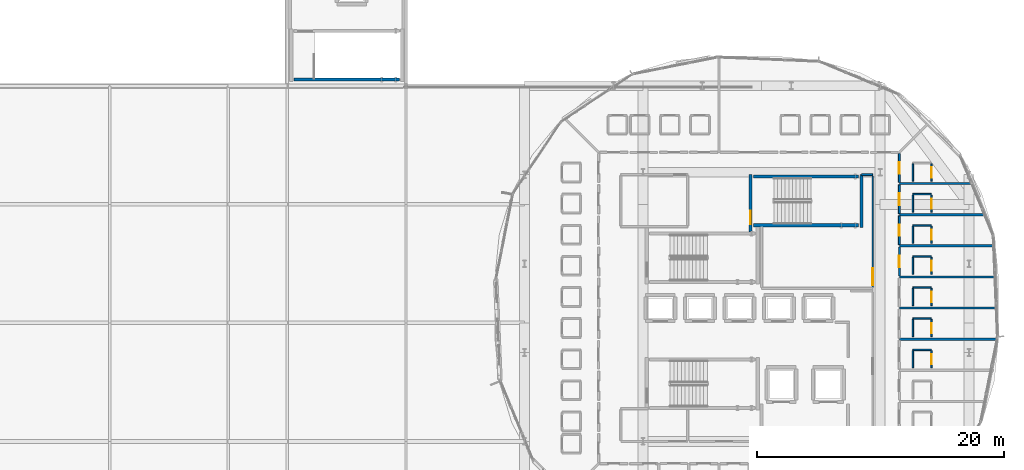
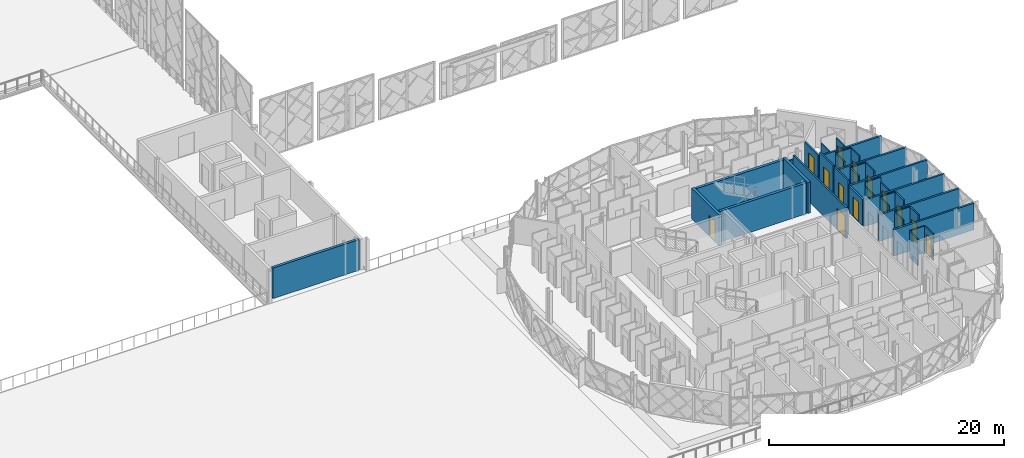
# One storey, part 35 of 53: 37 walls, 13 doors, 13 openings.
"""IFC4 building model written with IfcOpenShell, lengths in metres."""

from ifc_helpers import new_model, si_unit, direction, frame, frame_2d, origin, place, context, subcontext, project, spatial, rectangle, extrude, material, layer, layer_set, type_object, element, fill, save


model = new_model("IFC4")

# Units and contexts
model_context = context("Model", 3, precision=1e-05, world=origin(), true_north=direction((0.0, 1.0)))
body_context = subcontext(model_context, "Body", "Model", "MODEL_VIEW")
ifc_project = project(units=[si_unit("LENGTHUNIT", "METRE"), si_unit("AREAUNIT", "SQUARE_METRE"), si_unit("VOLUMEUNIT", "CUBIC_METRE"), si_unit("PLANEANGLEUNIT", "RADIAN"), si_unit("MASSUNIT", "GRAM", prefix="KILO")], contexts=[model_context])

# Site, building, storey
site_placement = place(None, origin())
site = spatial("IfcSite", under=ifc_project, at=site_placement, CompositionType="ELEMENT")
building_placement = place(site_placement, origin())
building = spatial("IfcBuilding", under=site, at=building_placement, Name="Zevrakil Square Congress Hotel", CompositionType="ELEMENT")
storey_placement = place(building_placement, frame((0.0, 0.0, 14.699951171875)))
storey = spatial("IfcBuildingStorey", under=building, at=storey_placement, Name="L04", CompositionType="ELEMENT", Elevation=14.699951171875)

# Wall
ifc_material_1 = material(Name="Gypsum Acoustic Stud Partition")
ifc_layer_1 = layer(ifc_material_1, 0.159912109375)
ifc_layer_set_1 = layer_set([ifc_layer_1], Name="Gypsum Acoustic Stud Partition")
wall_type_1 = type_object("IfcWallType", Name="WAL-CORR-160", PredefinedType="PARTITIONING", material=ifc_layer_set_1)
wall_1_placement = place(storey_placement, frame((154.5, 38.39990234375, 0.0), z_axis=(0.0, 0.0, 1.0), x_axis=(1.0, 0.0, 0.0)))
element("IfcWall", 1, at=wall_1_placement, inside=storey, type_object=wall_type_1, Name="L04 interior partition PW-L04-0252", PredefinedType="PARTITIONING", context=body_context, shape_type="SweptSolid", body=[
    extrude(rectangle(XDim=0.89990234375, YDim=0.159912109375, at=frame_2d((0.449951171875, 0.0))), origin(), (0.0, 0.0, 1.0), 2.75),
])

# Wall, opening, door
wall_2_placement = place(storey_placement, frame((155.39990234375, 29.284912109375, 0.0), z_axis=(0.0, 0.0, 1.0), x_axis=(0.0, 1.0, 0.0)))
wall_2 = element("IfcWall", 2, at=wall_2_placement, inside=storey, type_object=wall_type_1, Name="L04 interior partition PW-L04-0253", PredefinedType="PARTITIONING", context=body_context, shape_type="SweptSolid", body=[
    extrude(rectangle(XDim=9.030029296875, YDim=0.159912109375, at=frame_2d((4.51513671875, 0.0))), origin(), (0.0, 0.0, 1.0), 3.215087890625),
])
opening_1_placement = place(wall_2_placement, frame((0.159912109375, 0.0, 0.0)))
opening_1 = element("IfcOpeningElement", 3, at=opening_1_placement, cuts=wall_2, Name="Opening ID-09", PredefinedType="OPENING", context=body_context, shape_type="SweptSolid", body=[
    extrude(rectangle(XDim=1.39990234375, YDim=2.199951171875, at=frame_2d((0.699951171875, 1.10009765625))), frame((0.0, 0.08984375, 0.0), z_axis=(0.0, -1.0, 0.0), x_axis=(1.0, 0.0, 0.0)), (0.0, 0.0, 1.0), 0.179931640625),
])
ifc_material_2 = material(Name="Steel S355 Louvred Plant Fire Door", Category="steel")
door_type_1 = type_object("IfcDoorType", Name="DOR-PLANT-140", OperationType="NOTDEFINED", PredefinedType="DOOR", material=ifc_material_2)
door_1_placement = place(opening_1_placement, origin())
door_1 = element("IfcDoor", 4, at=door_1_placement, inside=storey, type_object=door_type_1, Name="L04 interior door 106", OperationType="SINGLE_SWING_RIGHT", OverallHeight=2.199951171875, OverallWidth=1.39990234375, PredefinedType="DOOR", context=body_context, shape_type="SweptSolid", body=[
    extrude(rectangle(XDim=1.39990234375, YDim=2.199951171875, at=frame_2d((0.699951171875, 1.10009765625))), frame((0.0, 0.02490234375, 0.0), z_axis=(0.0, -1.0, 0.0), x_axis=(1.0, 0.0, 0.0)), (0.0, 0.0, 1.0), 0.050048828125),
])
fill(opening_1, door_1)

wall_3_placement = place(storey_placement, frame((157.550048828125, 30.215087890625, 0.0), z_axis=(0.0, 0.0, 1.0), x_axis=(0.0, 1.0, 0.0)))
wall_3 = element("IfcWall", 5, at=wall_3_placement, inside=storey, type_object=wall_type_1, Name="L04 interior partition PW-L04-0343", PredefinedType="PARTITIONING", context=body_context, shape_type="SweptSolid", body=[
    extrude(rectangle(XDim=2.329833984375, YDim=0.159912109375, at=frame_2d((1.1650390625, 0.0))), origin(), (0.0, 0.0, 1.0), 2.75),
])
opening_2_placement = place(wall_3_placement, frame((0.697021484375, 0.0, 0.0)))
opening_2 = element("IfcOpeningElement", 6, at=opening_2_placement, cuts=wall_3, Name="Opening ID-H08", PredefinedType="OPENING", context=body_context, shape_type="SweptSolid", body=[
    extrude(rectangle(XDim=0.93603515625, YDim=2.070068359375, at=frame_2d((0.468017578125, 1.03515625))), frame((0.0, 0.08984375, 0.0), z_axis=(0.0, -1.0, 0.0), x_axis=(1.0, 0.0, 0.0)), (0.0, 0.0, 1.0), 0.179931640625),
])
ifc_material_3 = material(Name="Acoustic Timber Fire Door", Category="wood")
door_type_2 = type_object("IfcDoorType", Name="DOR-INT-H08", OperationType="NOTDEFINED", PredefinedType="DOOR", material=ifc_material_3)
door_2_placement = place(opening_2_placement, origin())
door_2 = element("IfcDoor", 7, at=door_2_placement, inside=storey, type_object=door_type_2, Name="L04 interior door 141", OperationType="SINGLE_SWING_LEFT", OverallHeight=2.070068359375, OverallWidth=0.93603515625, PredefinedType="DOOR", context=body_context, shape_type="SweptSolid", body=[
    extrude(rectangle(XDim=0.93603515625, YDim=2.070068359375, at=frame_2d((0.468017578125, 1.03515625))), frame((0.0, 0.02490234375, 0.0), z_axis=(0.0, -1.0, 0.0), x_axis=(1.0, 0.0, 0.0)), (0.0, 0.0, 1.0), 0.050048828125),
])
fill(opening_2, door_2)

wall_4_placement = place(storey_placement, frame((157.550048828125, 32.735107421875, 0.0), z_axis=(0.0, 0.0, 1.0), x_axis=(0.0, 1.0, 0.0)))
wall_4 = element("IfcWall", 8, at=wall_4_placement, inside=storey, type_object=wall_type_1, Name="L04 interior partition PW-L04-0348", PredefinedType="PARTITIONING", context=body_context, shape_type="SweptSolid", body=[
    extrude(rectangle(XDim=2.329833984375, YDim=0.159912109375, at=frame_2d((1.1650390625, 0.0))), origin(), (0.0, 0.0, 1.0), 3.215087890625),
])
opening_3_placement = place(wall_4_placement, frame((0.71240234375, 0.0, 0.0)))
opening_3 = element("IfcOpeningElement", 9, at=opening_3_placement, cuts=wall_4, Name="Opening ID-G03", PredefinedType="OPENING", context=body_context, shape_type="SweptSolid", body=[
    extrude(rectangle(XDim=0.905029296875, YDim=2.050048828125, at=frame_2d((0.45263671875, 1.02490234375))), frame((0.0, 0.08984375, 0.0), z_axis=(0.0, -1.0, 0.0), x_axis=(1.0, 0.0, 0.0)), (0.0, 0.0, 1.0), 0.179931640625),
])
ifc_material_4 = material(Name="Acoustic Timber Fire Door", Category="wood")
door_type_3 = type_object("IfcDoorType", Name="DOR-INT-G03", OperationType="NOTDEFINED", PredefinedType="DOOR", material=ifc_material_4)
door_3_placement = place(opening_3_placement, origin())
door_3 = element("IfcDoor", 10, at=door_3_placement, inside=storey, type_object=door_type_3, Name="L04 interior door 143", OperationType="SINGLE_SWING_LEFT", OverallHeight=2.050048828125, OverallWidth=0.905029296875, PredefinedType="DOOR", context=body_context, shape_type="SweptSolid", body=[
    extrude(rectangle(XDim=0.905029296875, YDim=2.050048828125, at=frame_2d((0.45263671875, 1.02490234375))), frame((0.0, 0.02490234375, 0.0), z_axis=(0.0, -1.0, 0.0), x_axis=(1.0, 0.0, 0.0)), (0.0, 0.0, 1.0), 0.050048828125),
])
fill(opening_3, door_3)

wall_5_placement = place(storey_placement, frame((157.550048828125, 35.2548828125, 0.0), z_axis=(0.0, 0.0, 1.0), x_axis=(0.0, 1.0, 0.0)))
wall_5 = element("IfcWall", 11, at=wall_5_placement, inside=storey, type_object=wall_type_1, Name="L04 interior partition PW-L04-0353", PredefinedType="PARTITIONING", context=body_context, shape_type="SweptSolid", body=[
    extrude(rectangle(XDim=2.330078125, YDim=0.159912109375, at=frame_2d((1.1650390625, 0.0))), origin(), (0.0, 0.0, 1.0), 3.215087890625),
])
opening_4_placement = place(wall_5_placement, frame((0.68505859375, 0.0, 0.0)))
opening_4 = element("IfcOpeningElement", 12, at=opening_4_placement, cuts=wall_5, Name="Opening ID-H10", PredefinedType="OPENING", context=body_context, shape_type="SweptSolid", body=[
    extrude(rectangle(XDim=0.9599609375, YDim=2.1298828125, at=frame_2d((0.47998046875, 1.06494140625))), frame((0.0, 0.08984375, 0.0), z_axis=(0.0, -1.0, 0.0), x_axis=(1.0, 0.0, 0.0)), (0.0, 0.0, 1.0), 0.179931640625),
])
ifc_material_5 = material(Name="Acoustic Timber Fire Door", Category="wood")
door_type_4 = type_object("IfcDoorType", Name="DOR-INT-H10", OperationType="NOTDEFINED", PredefinedType="DOOR", material=ifc_material_5)
door_4_placement = place(opening_4_placement, origin())
door_4 = element("IfcDoor", 13, at=door_4_placement, inside=storey, type_object=door_type_4, Name="L04 interior door 145", OperationType="SINGLE_SWING_LEFT", OverallHeight=2.1298828125, OverallWidth=0.9599609375, PredefinedType="DOOR", context=body_context, shape_type="SweptSolid", body=[
    extrude(rectangle(XDim=0.9599609375, YDim=2.1298828125, at=frame_2d((0.47998046875, 1.06494140625))), frame((0.0, 0.02490234375, 0.0), z_axis=(0.0, -1.0, 0.0), x_axis=(1.0, 0.0, 0.0)), (0.0, 0.0, 1.0), 0.050048828125),
])
fill(opening_4, door_4)

wall_6_placement = place(storey_placement, frame((157.550048828125, 37.77490234375, 0.0), z_axis=(0.0, 0.0, 1.0), x_axis=(0.0, 1.0, 0.0)))
wall_6 = element("IfcWall", 14, at=wall_6_placement, inside=storey, type_object=wall_type_1, Name="L04 interior partition PW-L04-0358", PredefinedType="PARTITIONING", context=body_context, shape_type="SweptSolid", body=[
    extrude(rectangle(XDim=2.330078125, YDim=0.159912109375, at=frame_2d((1.1650390625, 0.0))), origin(), (0.0, 0.0, 1.0), 2.75),
])
opening_5_placement = place(wall_6_placement, frame((0.6875, 0.0, 0.0)))
opening_5 = element("IfcOpeningElement", 15, at=opening_5_placement, cuts=wall_6, Name="Opening ID-G05", PredefinedType="OPENING", context=body_context, shape_type="SweptSolid", body=[
    extrude(rectangle(XDim=0.955078125, YDim=2.050048828125, at=frame_2d((0.4775390625, 1.02490234375))), frame((0.0, 0.08984375, 0.0), z_axis=(0.0, -1.0, 0.0), x_axis=(1.0, 0.0, 0.0)), (0.0, 0.0, 1.0), 0.179931640625),
])
ifc_material_6 = material(Name="Acoustic Timber Fire Door", Category="wood")
door_type_5 = type_object("IfcDoorType", Name="DOR-INT-G05", OperationType="NOTDEFINED", PredefinedType="DOOR", material=ifc_material_6)
door_5_placement = place(opening_5_placement, origin())
door_5 = element("IfcDoor", 16, at=door_5_placement, inside=storey, type_object=door_type_5, Name="L04 interior door 147", OperationType="SINGLE_SWING_LEFT", OverallHeight=2.050048828125, OverallWidth=0.955078125, PredefinedType="DOOR", context=body_context, shape_type="SweptSolid", body=[
    extrude(rectangle(XDim=0.955078125, YDim=2.050048828125, at=frame_2d((0.4775390625, 1.02490234375))), frame((0.0, 0.02490234375, 0.0), z_axis=(0.0, -1.0, 0.0), x_axis=(1.0, 0.0, 0.0)), (0.0, 0.0, 1.0), 0.050048828125),
])
fill(opening_5, door_5)

# Walls
ifc_material_7 = material(Name="Moisture-Resistant Gypsum Partition")
ifc_layer_2 = layer(ifc_material_7, 0.1201171875)
ifc_layer_set_2 = layer_set([ifc_layer_2], Name="Moisture-Resistant Gypsum Partition")
wall_type_2 = type_object("IfcWallType", Name="WAL-ENS-120", PredefinedType="PARTITIONING", material=ifc_layer_set_2)
wall_7_placement = place(storey_placement, frame((158.64990234375, 24.219970703125, 0.0), z_axis=(0.0, 0.0, 1.0), x_axis=(1.0, 0.0, 0.0)))
element("IfcWall", 17, at=wall_7_placement, inside=storey, type_object=wall_type_2, Name="L04 interior partition PW-L04-0329", PredefinedType="PARTITIONING", context=body_context, shape_type="SweptSolid", body=[
    extrude(rectangle(XDim=1.5, YDim=0.1201171875, at=frame_2d((0.75, 0.0))), origin(), (0.0, 0.0, 1.0), 2.75),
])
wall_8_placement = place(storey_placement, frame((158.64990234375, 22.764892578125, 0.0), z_axis=(0.0, 0.0, 1.0), x_axis=(0.0, 1.0, 0.0)))
element("IfcWall", 18, at=wall_8_placement, inside=storey, type_object=wall_type_2, Name="L04 interior partition PW-L04-0330", PredefinedType="PARTITIONING", context=body_context, shape_type="SweptSolid", body=[
    extrude(rectangle(XDim=1.39013671875, YDim=0.1201171875, at=frame_2d((0.695068359375, 0.0))), origin(), (0.0, 0.0, 1.0), 2.75),
])

# Wall, opening, door
wall_9_placement = place(storey_placement, frame((160.14990234375, 22.764892578125, 0.0), z_axis=(0.0, 0.0, 1.0), x_axis=(0.0, 1.0, 0.0)))
wall_9 = element("IfcWall", 19, at=wall_9_placement, inside=storey, type_object=wall_type_2, Name="L04 interior partition PW-L04-0331", PredefinedType="PARTITIONING", context=body_context, shape_type="SweptSolid", body=[
    extrude(rectangle(XDim=1.39013671875, YDim=0.1201171875, at=frame_2d((0.695068359375, 0.0))), origin(), (0.0, 0.0, 1.0), 2.75),
])
opening_6_placement = place(wall_9_placement, frame((0.284912109375, 0.0, 0.0)))
opening_6 = element("IfcOpeningElement", 20, at=opening_6_placement, cuts=wall_9, Name="Opening ID-11", PredefinedType="OPENING", context=body_context, shape_type="SweptSolid", body=[
    extrude(rectangle(XDim=0.820068359375, YDim=2.080078125, at=frame_2d((0.41015625, 1.0400390625))), frame((0.0, 0.070068359375, 0.0), z_axis=(0.0, -1.0, 0.0), x_axis=(1.0, 0.0, 0.0)), (0.0, 0.0, 1.0), 0.14013671875),
])
ifc_material_8 = material(Name="Acoustic Timber Door", Category="wood")
door_type_6 = type_object("IfcDoorType", Name="DOR-INT-V01", OperationType="NOTDEFINED", PredefinedType="DOOR", material=ifc_material_8)
door_6_placement = place(opening_6_placement, origin())
door_6 = element("IfcDoor", 21, at=door_6_placement, inside=storey, type_object=door_type_6, Name="L04 interior door 136", OperationType="SINGLE_SWING_RIGHT", OverallHeight=2.080078125, OverallWidth=0.820068359375, PredefinedType="DOOR", context=body_context, shape_type="SweptSolid", body=[
    extrude(rectangle(XDim=0.820068359375, YDim=2.080078125, at=frame_2d((0.41015625, 1.0400390625))), frame((0.0, 0.02490234375, 0.0), z_axis=(0.0, -1.0, 0.0), x_axis=(1.0, 0.0, 0.0)), (0.0, 0.0, 1.0), 0.050048828125),
])
fill(opening_6, door_6)

# Walls
wall_10_placement = place(storey_placement, frame((158.64990234375, 26.739990234375, 0.0), z_axis=(0.0, 0.0, 1.0), x_axis=(1.0, 0.0, 0.0)))
element("IfcWall", 22, at=wall_10_placement, inside=storey, type_object=wall_type_2, Name="L04 interior partition PW-L04-0334", PredefinedType="PARTITIONING", context=body_context, shape_type="SweptSolid", body=[
    extrude(rectangle(XDim=1.5, YDim=0.1201171875, at=frame_2d((0.75, 0.0))), origin(), (0.0, 0.0, 1.0), 3.215087890625),
])
wall_11_placement = place(storey_placement, frame((158.64990234375, 25.284912109375, 0.0), z_axis=(0.0, 0.0, 1.0), x_axis=(0.0, 1.0, 0.0)))
element("IfcWall", 23, at=wall_11_placement, inside=storey, type_object=wall_type_2, Name="L04 interior partition PW-L04-0335", PredefinedType="PARTITIONING", context=body_context, shape_type="SweptSolid", body=[
    extrude(rectangle(XDim=1.39013671875, YDim=0.1201171875, at=frame_2d((0.695068359375, 0.0))), origin(), (0.0, 0.0, 1.0), 3.215087890625),
])

# Wall, opening, door
wall_12_placement = place(storey_placement, frame((160.14990234375, 25.284912109375, 0.0), z_axis=(0.0, 0.0, 1.0), x_axis=(0.0, 1.0, 0.0)))
wall_12 = element("IfcWall", 24, at=wall_12_placement, inside=storey, type_object=wall_type_2, Name="L04 interior partition PW-L04-0336", PredefinedType="PARTITIONING", context=body_context, shape_type="SweptSolid", body=[
    extrude(rectangle(XDim=1.39013671875, YDim=0.1201171875, at=frame_2d((0.695068359375, 0.0))), origin(), (0.0, 0.0, 1.0), 3.215087890625),
])
opening_7_placement = place(wall_12_placement, frame((0.284912109375, 0.0, 0.0)))
opening_7 = element("IfcOpeningElement", 25, at=opening_7_placement, cuts=wall_12, Name="Opening ID-11", PredefinedType="OPENING", context=body_context, shape_type="SweptSolid", body=[
    extrude(rectangle(XDim=0.820068359375, YDim=2.080078125, at=frame_2d((0.41015625, 1.0400390625))), frame((0.0, 0.070068359375, 0.0), z_axis=(0.0, -1.0, 0.0), x_axis=(1.0, 0.0, 0.0)), (0.0, 0.0, 1.0), 0.14013671875),
])
door_7_placement = place(opening_7_placement, origin())
door_7 = element("IfcDoor", 26, at=door_7_placement, inside=storey, type_object=door_type_6, Name="L04 interior door 138", OperationType="SINGLE_SWING_RIGHT", OverallHeight=2.080078125, OverallWidth=0.820068359375, PredefinedType="DOOR", context=body_context, shape_type="SweptSolid", body=[
    extrude(rectangle(XDim=0.820068359375, YDim=2.080078125, at=frame_2d((0.41015625, 1.0400390625))), frame((0.0, 0.02490234375, 0.0), z_axis=(0.0, -1.0, 0.0), x_axis=(1.0, 0.0, 0.0)), (0.0, 0.0, 1.0), 0.050048828125),
])
fill(opening_7, door_7)

# Walls
wall_13_placement = place(storey_placement, frame((158.64990234375, 29.260009765625, 0.0), z_axis=(0.0, 0.0, 1.0), x_axis=(1.0, 0.0, 0.0)))
element("IfcWall", 27, at=wall_13_placement, inside=storey, type_object=wall_type_2, Name="L04 interior partition PW-L04-0339", PredefinedType="PARTITIONING", context=body_context, shape_type="SweptSolid", body=[
    extrude(rectangle(XDim=1.5, YDim=0.1201171875, at=frame_2d((0.75, 0.0))), origin(), (0.0, 0.0, 1.0), 3.215087890625),
])
wall_14_placement = place(storey_placement, frame((158.64990234375, 27.804931640625, 0.0), z_axis=(0.0, 0.0, 1.0), x_axis=(0.0, 1.0, 0.0)))
element("IfcWall", 28, at=wall_14_placement, inside=storey, type_object=wall_type_2, Name="L04 interior partition PW-L04-0340", PredefinedType="PARTITIONING", context=body_context, shape_type="SweptSolid", body=[
    extrude(rectangle(XDim=1.39013671875, YDim=0.1201171875, at=frame_2d((0.695068359375, 0.0))), origin(), (0.0, 0.0, 1.0), 3.215087890625),
])

# Wall, opening, door
wall_15_placement = place(storey_placement, frame((160.14990234375, 27.804931640625, 0.0), z_axis=(0.0, 0.0, 1.0), x_axis=(0.0, 1.0, 0.0)))
wall_15 = element("IfcWall", 29, at=wall_15_placement, inside=storey, type_object=wall_type_2, Name="L04 interior partition PW-L04-0341", PredefinedType="PARTITIONING", context=body_context, shape_type="SweptSolid", body=[
    extrude(rectangle(XDim=1.39013671875, YDim=0.1201171875, at=frame_2d((0.695068359375, 0.0))), origin(), (0.0, 0.0, 1.0), 3.215087890625),
])
opening_8_placement = place(wall_15_placement, frame((0.284912109375, 0.0, 0.0)))
opening_8 = element("IfcOpeningElement", 30, at=opening_8_placement, cuts=wall_15, Name="Opening ID-11", PredefinedType="OPENING", context=body_context, shape_type="SweptSolid", body=[
    extrude(rectangle(XDim=0.820068359375, YDim=2.080078125, at=frame_2d((0.41015625, 1.0400390625))), frame((0.0, 0.070068359375, 0.0), z_axis=(0.0, -1.0, 0.0), x_axis=(1.0, 0.0, 0.0)), (0.0, 0.0, 1.0), 0.14013671875),
])
door_8_placement = place(opening_8_placement, origin())
door_8 = element("IfcDoor", 31, at=door_8_placement, inside=storey, type_object=door_type_6, Name="L04 interior door 140", OperationType="SINGLE_SWING_RIGHT", OverallHeight=2.080078125, OverallWidth=0.820068359375, PredefinedType="DOOR", context=body_context, shape_type="SweptSolid", body=[
    extrude(rectangle(XDim=0.820068359375, YDim=2.080078125, at=frame_2d((0.41015625, 1.0400390625))), frame((0.0, 0.02490234375, 0.0), z_axis=(0.0, -1.0, 0.0), x_axis=(1.0, 0.0, 0.0)), (0.0, 0.0, 1.0), 0.050048828125),
])
fill(opening_8, door_8)

# Walls
wall_16_placement = place(storey_placement, frame((158.64990234375, 31.780029296875, 0.0), z_axis=(0.0, 0.0, 1.0), x_axis=(1.0, 0.0, 0.0)))
element("IfcWall", 32, at=wall_16_placement, inside=storey, type_object=wall_type_2, Name="L04 interior partition PW-L04-0344", PredefinedType="PARTITIONING", context=body_context, shape_type="SweptSolid", body=[
    extrude(rectangle(XDim=1.5, YDim=0.1201171875, at=frame_2d((0.75, 0.0))), origin(), (0.0, 0.0, 1.0), 3.215087890625),
])
wall_17_placement = place(storey_placement, frame((158.64990234375, 30.324951171875, 0.0), z_axis=(0.0, 0.0, 1.0), x_axis=(0.0, 1.0, 0.0)))
element("IfcWall", 33, at=wall_17_placement, inside=storey, type_object=wall_type_2, Name="L04 interior partition PW-L04-0345", PredefinedType="PARTITIONING", context=body_context, shape_type="SweptSolid", body=[
    extrude(rectangle(XDim=1.39013671875, YDim=0.1201171875, at=frame_2d((0.695068359375, 0.0))), origin(), (0.0, 0.0, 1.0), 2.75),
])

# Wall, opening, door
wall_18_placement = place(storey_placement, frame((160.14990234375, 30.324951171875, 0.0), z_axis=(0.0, 0.0, 1.0), x_axis=(0.0, 1.0, 0.0)))
wall_18 = element("IfcWall", 34, at=wall_18_placement, inside=storey, type_object=wall_type_2, Name="L04 interior partition PW-L04-0346", PredefinedType="PARTITIONING", context=body_context, shape_type="SweptSolid", body=[
    extrude(rectangle(XDim=1.39013671875, YDim=0.1201171875, at=frame_2d((0.695068359375, 0.0))), origin(), (0.0, 0.0, 1.0), 2.75),
])
opening_9_placement = place(wall_18_placement, frame((0.284912109375, 0.0, 0.0)))
opening_9 = element("IfcOpeningElement", 35, at=opening_9_placement, cuts=wall_18, Name="Opening ID-11", PredefinedType="OPENING", context=body_context, shape_type="SweptSolid", body=[
    extrude(rectangle(XDim=0.820068359375, YDim=2.080078125, at=frame_2d((0.41015625, 1.0400390625))), frame((0.0, 0.070068359375, 0.0), z_axis=(0.0, -1.0, 0.0), x_axis=(1.0, 0.0, 0.0)), (0.0, 0.0, 1.0), 0.14013671875),
])
door_9_placement = place(opening_9_placement, origin())
door_9 = element("IfcDoor", 36, at=door_9_placement, inside=storey, type_object=door_type_6, Name="L04 interior door 142", OperationType="SINGLE_SWING_RIGHT", OverallHeight=2.080078125, OverallWidth=0.820068359375, PredefinedType="DOOR", context=body_context, shape_type="SweptSolid", body=[
    extrude(rectangle(XDim=0.820068359375, YDim=2.080078125, at=frame_2d((0.41015625, 1.0400390625))), frame((0.0, 0.02490234375, 0.0), z_axis=(0.0, -1.0, 0.0), x_axis=(1.0, 0.0, 0.0)), (0.0, 0.0, 1.0), 0.050048828125),
])
fill(opening_9, door_9)

# Walls
wall_19_placement = place(storey_placement, frame((158.64990234375, 34.300048828125, 0.0), z_axis=(0.0, 0.0, 1.0), x_axis=(1.0, 0.0, 0.0)))
element("IfcWall", 37, at=wall_19_placement, inside=storey, type_object=wall_type_2, Name="L04 interior partition PW-L04-0349", PredefinedType="PARTITIONING", context=body_context, shape_type="SweptSolid", body=[
    extrude(rectangle(XDim=1.5, YDim=0.1201171875, at=frame_2d((0.75, 0.0))), origin(), (0.0, 0.0, 1.0), 3.215087890625),
])
wall_20_placement = place(storey_placement, frame((158.64990234375, 32.844970703125, 0.0), z_axis=(0.0, 0.0, 1.0), x_axis=(0.0, 1.0, 0.0)))
element("IfcWall", 38, at=wall_20_placement, inside=storey, type_object=wall_type_2, Name="L04 interior partition PW-L04-0350", PredefinedType="PARTITIONING", context=body_context, shape_type="SweptSolid", body=[
    extrude(rectangle(XDim=1.39013671875, YDim=0.1201171875, at=frame_2d((0.695068359375, 0.0))), origin(), (0.0, 0.0, 1.0), 3.215087890625),
])

# Wall, opening, door
wall_21_placement = place(storey_placement, frame((160.14990234375, 32.844970703125, 0.0), z_axis=(0.0, 0.0, 1.0), x_axis=(0.0, 1.0, 0.0)))
wall_21 = element("IfcWall", 39, at=wall_21_placement, inside=storey, type_object=wall_type_2, Name="L04 interior partition PW-L04-0351", PredefinedType="PARTITIONING", context=body_context, shape_type="SweptSolid", body=[
    extrude(rectangle(XDim=1.39013671875, YDim=0.1201171875, at=frame_2d((0.695068359375, 0.0))), origin(), (0.0, 0.0, 1.0), 3.215087890625),
])
opening_10_placement = place(wall_21_placement, frame((0.284912109375, 0.0, 0.0)))
opening_10 = element("IfcOpeningElement", 40, at=opening_10_placement, cuts=wall_21, Name="Opening ID-11", PredefinedType="OPENING", context=body_context, shape_type="SweptSolid", body=[
    extrude(rectangle(XDim=0.820068359375, YDim=2.080078125, at=frame_2d((0.41015625, 1.0400390625))), frame((0.0, 0.070068359375, 0.0), z_axis=(0.0, -1.0, 0.0), x_axis=(1.0, 0.0, 0.0)), (0.0, 0.0, 1.0), 0.14013671875),
])
door_10_placement = place(opening_10_placement, origin())
door_10 = element("IfcDoor", 41, at=door_10_placement, inside=storey, type_object=door_type_6, Name="L04 interior door 144", OperationType="SINGLE_SWING_RIGHT", OverallHeight=2.080078125, OverallWidth=0.820068359375, PredefinedType="DOOR", context=body_context, shape_type="SweptSolid", body=[
    extrude(rectangle(XDim=0.820068359375, YDim=2.080078125, at=frame_2d((0.41015625, 1.0400390625))), frame((0.0, 0.02490234375, 0.0), z_axis=(0.0, -1.0, 0.0), x_axis=(1.0, 0.0, 0.0)), (0.0, 0.0, 1.0), 0.050048828125),
])
fill(opening_10, door_10)

# Walls
wall_22_placement = place(storey_placement, frame((158.64990234375, 36.820068359375, 0.0), z_axis=(0.0, 0.0, 1.0), x_axis=(1.0, 0.0, 0.0)))
element("IfcWall", 42, at=wall_22_placement, inside=storey, type_object=wall_type_2, Name="L04 interior partition PW-L04-0354", PredefinedType="PARTITIONING", context=body_context, shape_type="SweptSolid", body=[
    extrude(rectangle(XDim=1.5, YDim=0.1201171875, at=frame_2d((0.75, 0.0))), origin(), (0.0, 0.0, 1.0), 3.215087890625),
])
wall_23_placement = place(storey_placement, frame((158.64990234375, 35.364990234375, 0.0), z_axis=(0.0, 0.0, 1.0), x_axis=(0.0, 1.0, 0.0)))
element("IfcWall", 43, at=wall_23_placement, inside=storey, type_object=wall_type_2, Name="L04 interior partition PW-L04-0355", PredefinedType="PARTITIONING", context=body_context, shape_type="SweptSolid", body=[
    extrude(rectangle(XDim=1.389892578125, YDim=0.1201171875, at=frame_2d((0.69482421875, 0.0))), origin(), (0.0, 0.0, 1.0), 3.215087890625),
])

# Wall, opening, door
wall_24_placement = place(storey_placement, frame((160.14990234375, 35.364990234375, 0.0), z_axis=(0.0, 0.0, 1.0), x_axis=(0.0, 1.0, 0.0)))
wall_24 = element("IfcWall", 44, at=wall_24_placement, inside=storey, type_object=wall_type_2, Name="L04 interior partition PW-L04-0356", PredefinedType="PARTITIONING", context=body_context, shape_type="SweptSolid", body=[
    extrude(rectangle(XDim=1.389892578125, YDim=0.1201171875, at=frame_2d((0.69482421875, 0.0))), origin(), (0.0, 0.0, 1.0), 3.215087890625),
])
opening_11_placement = place(wall_24_placement, frame((0.284912109375, 0.0, 0.0)))
opening_11 = element("IfcOpeningElement", 45, at=opening_11_placement, cuts=wall_24, Name="Opening ID-11", PredefinedType="OPENING", context=body_context, shape_type="SweptSolid", body=[
    extrude(rectangle(XDim=0.820068359375, YDim=2.080078125, at=frame_2d((0.41015625, 1.0400390625))), frame((0.0, 0.070068359375, 0.0), z_axis=(0.0, -1.0, 0.0), x_axis=(1.0, 0.0, 0.0)), (0.0, 0.0, 1.0), 0.14013671875),
])
door_11_placement = place(opening_11_placement, origin())
door_11 = element("IfcDoor", 46, at=door_11_placement, inside=storey, type_object=door_type_6, Name="L04 interior door 146", OperationType="SINGLE_SWING_RIGHT", OverallHeight=2.080078125, OverallWidth=0.820068359375, PredefinedType="DOOR", context=body_context, shape_type="SweptSolid", body=[
    extrude(rectangle(XDim=0.820068359375, YDim=2.080078125, at=frame_2d((0.41015625, 1.0400390625))), frame((0.0, 0.02490234375, 0.0), z_axis=(0.0, -1.0, 0.0), x_axis=(1.0, 0.0, 0.0)), (0.0, 0.0, 1.0), 0.050048828125),
])
fill(opening_11, door_11)

# Wall
wall_25_placement = place(storey_placement, frame((158.64990234375, 37.885009765625, 0.0), z_axis=(0.0, 0.0, 1.0), x_axis=(0.0, 1.0, 0.0)))
element("IfcWall", 47, at=wall_25_placement, inside=storey, type_object=wall_type_2, Name="L04 interior partition PW-L04-0360", PredefinedType="PARTITIONING", context=body_context, shape_type="SweptSolid", body=[
    extrude(rectangle(XDim=1.389892578125, YDim=0.1201171875, at=frame_2d((0.69482421875, 0.0))), origin(), (0.0, 0.0, 1.0), 2.75),
])

# Wall, opening, door
wall_26_placement = place(storey_placement, frame((160.14990234375, 37.885009765625, 0.0), z_axis=(0.0, 0.0, 1.0), x_axis=(0.0, 1.0, 0.0)))
wall_26 = element("IfcWall", 48, at=wall_26_placement, inside=storey, type_object=wall_type_2, Name="L04 interior partition PW-L04-0361", PredefinedType="PARTITIONING", context=body_context, shape_type="SweptSolid", body=[
    extrude(rectangle(XDim=1.389892578125, YDim=0.1201171875, at=frame_2d((0.69482421875, 0.0))), origin(), (0.0, 0.0, 1.0), 2.75),
])
opening_12_placement = place(wall_26_placement, frame((0.284912109375, 0.0, 0.0)))
opening_12 = element("IfcOpeningElement", 49, at=opening_12_placement, cuts=wall_26, Name="Opening ID-11", PredefinedType="OPENING", context=body_context, shape_type="SweptSolid", body=[
    extrude(rectangle(XDim=0.820068359375, YDim=2.080078125, at=frame_2d((0.41015625, 1.0400390625))), frame((0.0, 0.070068359375, 0.0), z_axis=(0.0, -1.0, 0.0), x_axis=(1.0, 0.0, 0.0)), (0.0, 0.0, 1.0), 0.14013671875),
])
door_12_placement = place(opening_12_placement, origin())
door_12 = element("IfcDoor", 50, at=door_12_placement, inside=storey, type_object=door_type_6, Name="L04 interior door 148", OperationType="SINGLE_SWING_RIGHT", OverallHeight=2.080078125, OverallWidth=0.820068359375, PredefinedType="DOOR", context=body_context, shape_type="SweptSolid", body=[
    extrude(rectangle(XDim=0.820068359375, YDim=2.080078125, at=frame_2d((0.41015625, 1.0400390625))), frame((0.0, 0.02490234375, 0.0), z_axis=(0.0, -1.0, 0.0), x_axis=(1.0, 0.0, 0.0)), (0.0, 0.0, 1.0), 0.050048828125),
])
fill(opening_12, door_12)

# Walls
ifc_material_9 = material(Name="Gypsum Twin-Stud Party Partition")
ifc_layer_3 = layer(ifc_material_9, 0.179931640625)
ifc_layer_set_3 = layer_set([ifc_layer_3], Name="Gypsum Twin-Stud Party Partition")
wall_type_3 = type_object("IfcWallType", Name="WAL-PARTY-180", PredefinedType="PARTITIONING", material=ifc_layer_set_3)
wall_27_placement = place(storey_placement, frame((157.550048828125, 25.080078125, 0.0), z_axis=(0.0, 0.0, 1.0), x_axis=(1.0, 0.0, 0.0)))
element("IfcWall", 51, at=wall_27_placement, inside=storey, type_object=wall_type_3, Name="L04 interior partition PW-L04-0332", PredefinedType="PARTITIONING", context=body_context, shape_type="SweptSolid", body=[
    extrude(rectangle(XDim=7.891357421875, YDim=0.179931640625, at=frame_2d((3.94580078125, 0.0))), origin(), (0.0, 0.0, 1.0), 2.760009765625),
])
wall_28_placement = place(storey_placement, frame((157.550048828125, 27.60009765625, 0.0), z_axis=(0.0, 0.0, 1.0), x_axis=(1.0, 0.0, 0.0)))
element("IfcWall", 52, at=wall_28_placement, inside=storey, type_object=wall_type_3, Name="L04 interior partition PW-L04-0337", PredefinedType="PARTITIONING", context=body_context, shape_type="SweptSolid", body=[
    extrude(rectangle(XDim=7.909912109375, YDim=0.179931640625, at=frame_2d((3.955078125, 0.0))), origin(), (0.0, 0.0, 1.0), 2.760009765625),
])
wall_29_placement = place(storey_placement, frame((157.550048828125, 30.1201171875, 0.0), z_axis=(0.0, 0.0, 1.0), x_axis=(1.0, 0.0, 0.0)))
element("IfcWall", 53, at=wall_29_placement, inside=storey, type_object=wall_type_3, Name="L04 interior partition PW-L04-0342", PredefinedType="PARTITIONING", context=body_context, shape_type="SweptSolid", body=[
    extrude(rectangle(XDim=7.891357421875, YDim=0.179931640625, at=frame_2d((3.94580078125, 0.0))), origin(), (0.0, 0.0, 1.0), 2.760009765625),
])
wall_30_placement = place(storey_placement, frame((157.550048828125, 32.639892578125, 0.0), z_axis=(0.0, 0.0, 1.0), x_axis=(1.0, 0.0, 0.0)))
element("IfcWall", 54, at=wall_30_placement, inside=storey, type_object=wall_type_3, Name="L04 interior partition PW-L04-0347", PredefinedType="PARTITIONING", context=body_context, shape_type="SweptSolid", body=[
    extrude(rectangle(XDim=7.64306640625, YDim=0.179931640625, at=frame_2d((3.821533203125, 0.0))), origin(), (0.0, 0.0, 1.0), 2.760009765625),
])
wall_31_placement = place(storey_placement, frame((157.550048828125, 35.159912109375, 0.0), z_axis=(0.0, 0.0, 1.0), x_axis=(1.0, 0.0, 0.0)))
element("IfcWall", 55, at=wall_31_placement, inside=storey, type_object=wall_type_3, Name="L04 interior partition PW-L04-0352", PredefinedType="PARTITIONING", context=body_context, shape_type="SweptSolid", body=[
    extrude(rectangle(XDim=7.0400390625, YDim=0.179931640625, at=frame_2d((3.52001953125, 0.0))), origin(), (0.0, 0.0, 1.0), 2.760009765625),
])
wall_32_placement = place(storey_placement, frame((157.550048828125, 37.679931640625, 0.0), z_axis=(0.0, 0.0, 1.0), x_axis=(1.0, 0.0, 0.0)))
element("IfcWall", 56, at=wall_32_placement, inside=storey, type_object=wall_type_3, Name="L04 interior partition PW-L04-0357", PredefinedType="PARTITIONING", context=body_context, shape_type="SweptSolid", body=[
    extrude(rectangle(XDim=6.0703125, YDim=0.179931640625, at=frame_2d((3.03515625, 0.0))), origin(), (0.0, 0.0, 1.0), 2.760009765625),
])

# Wall, opening, door
ifc_material_10 = material(Name="Concrete C40/50", Category="concrete")
ifc_layer_4 = layer(ifc_material_10, 0.260009765625)
ifc_layer_set_4 = layer_set([ifc_layer_4], Name="Concrete C40/50")
wall_type_4 = type_object("IfcWallType", Name="WAL-SHAFT-260", PredefinedType="SHEAR", material=ifc_layer_set_4)
wall_33_placement = place(storey_placement, frame((145.5048828125, 33.764892578125, 0.0), z_axis=(0.0, 0.0, 1.0), x_axis=(0.0, 1.0, 0.0)))
wall_33 = element("IfcWall", 57, at=wall_33_placement, inside=storey, type_object=wall_type_4, Name="L04 ST03 stair shaft W wall", PredefinedType="SHEAR", context=body_context, shape_type="SweptSolid", body=[
    extrude(rectangle(XDim=4.64501953125, YDim=0.260009765625, at=frame_2d((2.322509765625, 0.0))), origin(), (0.0, 0.0, 1.0), 3.215087890625),
])
opening_13_placement = place(wall_33_placement, frame((0.610107421875, 0.0, 0.0)))
opening_13 = element("IfcOpeningElement", 58, at=opening_13_placement, cuts=wall_33, Name="Opening SD-ST03", PredefinedType="OPENING", context=body_context, shape_type="SweptSolid", body=[
    extrude(rectangle(XDim=1.10009765625, YDim=2.199951171875, at=frame_2d((0.550048828125, 1.10009765625))), frame((0.0, 0.14013671875, 0.0), z_axis=(0.0, -1.0, 0.0), x_axis=(1.0, 0.0, 0.0)), (0.0, 0.0, 1.0), 0.280029296875),
])
ifc_material_11 = material(Name="Steel S355 Fire-Rated Door", Category="steel")
door_type_7 = type_object("IfcDoorType", Name="DOR-STAIR-FD90-110", OperationType="NOTDEFINED", PredefinedType="DOOR", material=ifc_material_11)
door_13_placement = place(opening_13_placement, origin())
door_13 = element("IfcDoor", 59, at=door_13_placement, inside=storey, type_object=door_type_7, Name="L04 ST03 protected stair fire door", OperationType="SINGLE_SWING_LEFT", OverallHeight=2.199951171875, OverallWidth=1.10009765625, PredefinedType="DOOR", context=body_context, shape_type="SweptSolid", body=[
    extrude(rectangle(XDim=1.10009765625, YDim=2.199951171875, at=frame_2d((0.550048828125, 1.10009765625))), frame((0.0, 0.02490234375, 0.0), z_axis=(0.0, -1.0, 0.0), x_axis=(1.0, 0.0, 0.0)), (0.0, 0.0, 1.0), 0.050048828125),
])
fill(opening_13, door_13)

# Walls
wall_34_placement = place(storey_placement, frame((154.4951171875, 34.139892578125, 0.0), z_axis=(0.0, 0.0, 1.0), x_axis=(0.0, 1.0, 0.0)))
element("IfcWall", 60, at=wall_34_placement, inside=storey, type_object=wall_type_4, Name="L04 ST03 stair shaft E wall", PredefinedType="SHEAR", context=body_context, shape_type="SweptSolid", body=[
    extrude(rectangle(XDim=4.27001953125, YDim=0.260009765625, at=frame_2d((2.135009765625, 0.0))), origin(), (0.0, 0.0, 1.0), 3.215087890625),
])
for number, where, z_axis, x_axis, name in (
    (61, (145.739990234375, 34.304931640625, 0.0), (0.0, 0.0, 1.0), (1.0, 0.0, 0.0), "L04 ST03 stair shaft S wall"),
    (62, (145.739990234375, 38.2451171875, 0.0), (0.0, 0.0, 1.0), (1.0, 0.0, 0.0), "L04 ST03 stair shaft N wall"),
):
    element("IfcWall", number, at=place(storey_placement, frame(where, z_axis=z_axis, x_axis=x_axis)), inside=storey, type_object=wall_type_4, Name=name, PredefinedType="SHEAR", context=body_context, shape_type="SweptSolid", body=[
        extrude(rectangle(XDim=8.52001953125, YDim=0.260009765625, at=frame_2d((4.260009765625, 0.0))), origin(), (0.0, 0.0, 1.0), 3.215087890625),
    ])
wall_35_placement = place(storey_placement, frame((108.5400390625, 46.10498046875, 0.0), z_axis=(0.0, 0.0, 1.0), x_axis=(1.0, 0.0, 0.0)))
element("IfcWall", 63, at=wall_35_placement, inside=storey, type_object=wall_type_4, Name="L04 ST07 stair shaft S wall", PredefinedType="SHEAR", context=body_context, shape_type="SweptSolid", body=[
    extrude(rectangle(XDim=8.52001953125, YDim=0.260009765625, at=frame_2d((4.260009765625, 0.0))), origin(), (0.0, 0.0, 1.0), 3.195068359375),
])

save(model, "model.ifc")
